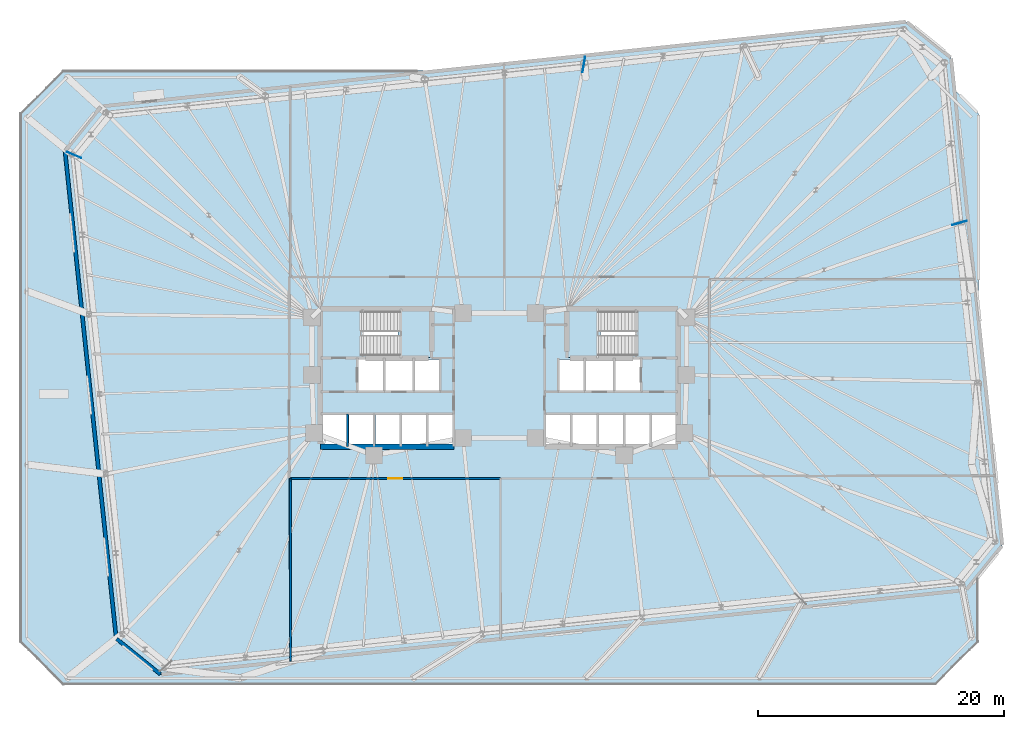
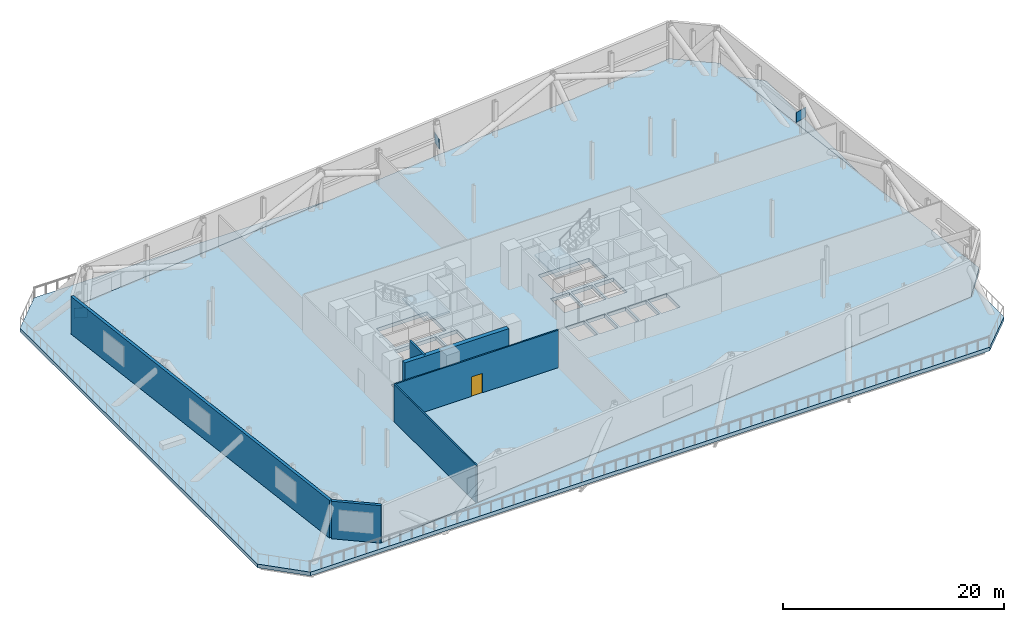
# One storey, part 13 of 17: 6 walls, 5 slabs, 3 plates, 1 door, 1 opening, 2 elements without a shape of their own.
"""IFC4 building model written with IfcOpenShell, lengths in metres."""

import ifcopenshell
import ifcopenshell.guid

model = None  # the IFC model being written
_history = None  # IfcOwnerHistory: only IFC2X3 demands one
_inside = {}  # id of a spatial element -> (the spatial element, [elements in it])
_under = {}  # id of a project, library or spatial element -> (it, [spatial elements below it])
_declared = {}  # id of a project -> (the project, [libraries it declares])
_typed = {}  # id of a type object -> (the type object, [elements of that type])
_made_of = {}  # id of a material, layer set ... -> (it, [elements and type objects made of it])


def new_model(schema):
    """Start an empty IFC model of exactly this schema.

    Asked for "IFC4X3", IfcOpenShell would pick the latest addendum, in which some entities
    have other attributes; the version numbers below select the first issue.
    IFC2X3 requires an IfcOwnerHistory on every rooted entity: one is made here for all.
    """
    global model, _history
    if schema == "IFC4X3":
        model = ifcopenshell.file(schema_version=(4, 3, 0, 0))
    else:
        model = ifcopenshell.file(schema=schema)
    _inside.clear()
    _under.clear()
    _declared.clear()
    _typed.clear()
    _made_of.clear()
    _history = None
    if model.schema == "IFC2X3":
        org = make("IfcOrganization", Name="unknown")
        user = make(
            "IfcPersonAndOrganization",
            ThePerson=make("IfcPerson", FamilyName="unknown"),
            TheOrganization=org,
        )
        app = make(
            "IfcApplication",
            ApplicationDeveloper=org,
            Version="unknown",
            ApplicationFullName="unknown",
            ApplicationIdentifier="unknown",
        )
        _history = make(
            "IfcOwnerHistory",
            OwningUser=user,
            OwningApplication=app,
            ChangeAction="ADDED",
            CreationDate=0,
        )
    return model


def make(cls, **values):
    """One entity of the class cls with the attributes given. An attribute that is None is left unset."""
    return model.create_entity(
        cls, **{name: value for name, value in values.items() if value is not None}
    )


def rooted(cls, **values):
    """An entity with a GlobalId (a new one), such as an element, a storey or a relation."""
    return make(cls, GlobalId=ifcopenshell.guid.new(), OwnerHistory=_history, **values)


def si_unit(unit_type, name, prefix=None):
    """IfcSIUnit, for example si_unit("LENGTHUNIT", "METRE", prefix="MILLI")."""
    return make("IfcSIUnit", UnitType=unit_type, Prefix=prefix, Name=name)


def assignment(units):
    """IfcUnitAssignment: the units of a project."""
    return None if units is None else make("IfcUnitAssignment", Units=units)


def point(xyz):
    """IfcCartesianPoint."""
    return None if xyz is None else make("IfcCartesianPoint", Coordinates=xyz)


def direction(xyz):
    """IfcDirection."""
    return None if xyz is None else make("IfcDirection", DirectionRatios=xyz)


def frame(location, z_axis=None, x_axis=None):
    """IfcAxis2Placement3D, a coordinate frame: its origin and axes. An axis left out is left unset."""
    return make(
        "IfcAxis2Placement3D",
        Location=point(location),
        Axis=direction(z_axis),
        RefDirection=direction(x_axis),
    )


def frame_2d(location, x_axis=None):
    """IfcAxis2Placement2D, a coordinate frame in the plane: its origin and x axis."""
    return make(
        "IfcAxis2Placement2D", Location=point(location), RefDirection=direction(x_axis)
    )


def origin():
    """The frame at (0, 0, 0) with its axes left unset."""
    return frame((0.0, 0.0, 0.0))


def origin_2d():
    """The frame at (0, 0) in the plane with its x axis left unset."""
    return frame_2d((0.0, 0.0))


def place(relative_to, where):
    """IfcLocalPlacement: puts the frame where relative to a parent placement (None: the world)."""
    return make(
        "IfcLocalPlacement", PlacementRelTo=relative_to, RelativePlacement=where
    )


def context(
    kind, dimensions, precision=None, world=None, true_north=None, identifier=None
):
    """IfcGeometricRepresentationContext, for example the 3D "Model" context."""
    return make(
        "IfcGeometricRepresentationContext",
        ContextIdentifier=identifier,
        ContextType=kind,
        CoordinateSpaceDimension=dimensions,
        Precision=precision,
        WorldCoordinateSystem=world,
        TrueNorth=true_north,
    )


def subcontext(parent, identifier, kind, view, scale=None):
    """IfcGeometricRepresentationSubContext, for example "Body" below "Model"."""
    return make(
        "IfcGeometricRepresentationSubContext",
        ContextIdentifier=identifier,
        ContextType=kind,
        ParentContext=parent,
        TargetScale=scale,
        TargetView=view,
    )


def project(units=None, contexts=None):
    """IfcProject with its units and contexts."""
    return rooted(
        "IfcProject",
        Name="project",
        RepresentationContexts=contexts,
        UnitsInContext=assignment(units),
    )


def spatial(cls, under=None, at=None, **own):
    """A site, building, storey or space (cls), placed at a placement, below another one or the project."""
    s = rooted(cls, ObjectPlacement=at, **own)
    if under is not None:
        _under.setdefault(under.id(), (under, []))[1].append(s)
    return s


def polyline(points):
    """IfcPolyline through the points."""
    return make("IfcPolyline", Points=[point(p) for p in points])


def profile(cls, at=None, kind="AREA", **sizes):
    """A parametric profile (cls). Its sizes go by their IFC names, for example OverallWidth=200.0."""
    return make(cls, ProfileType=kind, Position=at, **sizes)


def rectangle(**sizes):
    """IfcRectangleProfileDef."""
    return profile("IfcRectangleProfileDef", **sizes)


def outline(outer, holes=None, kind="AREA"):
    """IfcArbitraryClosedProfileDef: a profile drawn as a closed curve; with holes, ...WithVoids."""
    if holes is None:
        return make("IfcArbitraryClosedProfileDef", ProfileType=kind, OuterCurve=outer)
    return make(
        "IfcArbitraryProfileDefWithVoids",
        ProfileType=kind,
        OuterCurve=outer,
        InnerCurves=holes,
    )


def extrude(swept, where, along, depth):
    """IfcExtrudedAreaSolid: the profile swept, set in the frame where, extruded along a direction by depth."""
    return make(
        "IfcExtrudedAreaSolid",
        SweptArea=swept,
        Position=where,
        ExtrudedDirection=direction(along),
        Depth=depth,
    )


def shape(context_of_items, identifier, shape_type, items):
    """IfcShapeRepresentation: the items that make up one representation, for example the "Body"."""
    return make(
        "IfcShapeRepresentation",
        ContextOfItems=context_of_items,
        RepresentationIdentifier=identifier,
        RepresentationType=shape_type,
        Items=items,
    )


def material(Name=None, Category=None):
    """IfcMaterial."""
    return make("IfcMaterial", Name=Name, Category=Category)


def layer(
    of_material, thickness, ventilated=None, Name=None, Category=None, Priority=None
):
    """IfcMaterialLayer: one layer of a wall or slab, of a material (None: an air gap)."""
    return make(
        "IfcMaterialLayer",
        Material=of_material,
        LayerThickness=thickness,
        IsVentilated=ventilated,
        Name=Name,
        Category=Category,
        Priority=Priority,
    )


def layer_set(layers, Name=None):
    """IfcMaterialLayerSet."""
    return make("IfcMaterialLayerSet", MaterialLayers=layers, LayerSetName=Name)


def made_of(thing, what):
    """Note that an element or type object is made of a material, layer set ...; save() writes the relation."""
    if what is not None:
        _made_of.setdefault(what.id(), (what, []))[1].append(thing)
    return thing


def type_object(cls, material=None, **own):
    """A type object (cls), such as IfcWallType, which elements share."""
    return made_of(rooted(cls, **own), material)


def element(
    cls,
    number,
    at=None,
    inside=None,
    cuts=None,
    type_object=None,
    material=None,
    context=None,
    identifier="Body",
    shape_type=None,
    held_by="IfcProductDefinitionShape",
    body=None,
    shapes=None,
    **own,
):
    """One element of the class cls, such as IfcWall. Its Tag is "e" and its number.

    at: its placement. inside: the storey or other place that contains it. cuts: it is an
    opening in that element (IfcRelVoidsElement). A single representation is given by context,
    identifier, shape_type and body (its items); several are given by shapes. held_by: the class
    of the entity that holds the representations. save() writes the other relations.
    """
    e = rooted(cls, Tag="e%d" % number, ObjectPlacement=at, **own)
    if body is not None:
        shapes = [shape(context, identifier, shape_type, body)]
    if shapes is not None:
        e.Representation = make(held_by, Representations=shapes)
    if inside is not None:
        _inside.setdefault(inside.id(), (inside, []))[1].append(e)
    if cuts is not None:
        rooted(
            "IfcRelVoidsElement", RelatingBuildingElement=cuts, RelatedOpeningElement=e
        )
    if type_object is not None:
        _typed.setdefault(type_object.id(), (type_object, []))[1].append(e)
    return made_of(e, material)


def fill(opening, filler):
    """IfcRelFillsElement: the door or window that sits in an opening."""
    return rooted(
        "IfcRelFillsElement",
        RelatingOpeningElement=opening,
        RelatedBuildingElement=filler,
    )


def aggregate(whole, parts):
    """IfcRelAggregates: a whole, such as a stair, and the parts it consists of."""
    return rooted("IfcRelAggregates", RelatingObject=whole, RelatedObjects=parts)


def save(model, path):
    """Write the relations noted so far, then the file.

    IfcRelAggregates (storeys below a building ...), IfcRelContainedInSpatialStructure (elements
    in a storey), IfcRelDefinesByType, IfcRelAssociatesMaterial and IfcRelDeclares: one each for
    every whole, place, type object, material and project.
    """
    for whole, parts in _under.values():
        aggregate(whole, parts)
    for where, things in _inside.values():
        rooted(
            "IfcRelContainedInSpatialStructure",
            RelatedElements=things,
            RelatingStructure=where,
        )
    for kind, things in _typed.values():
        rooted("IfcRelDefinesByType", RelatedObjects=things, RelatingType=kind)
    for what, things in _made_of.values():
        rooted("IfcRelAssociatesMaterial", RelatedObjects=things, RelatingMaterial=what)
    for by, libraries in _declared.values():
        rooted("IfcRelDeclares", RelatingContext=by, RelatedDefinitions=libraries)
    model.write(path)


model = new_model("IFC4")

# Units and contexts
model_context = context("Model", 3, precision=1e-05, world=origin(), true_north=direction((0.0, 1.0)))
body_context = subcontext(model_context, "Body", "Model", "MODEL_VIEW")
ifc_project = project(units=[si_unit("LENGTHUNIT", "METRE"), si_unit("AREAUNIT", "SQUARE_METRE"), si_unit("VOLUMEUNIT", "CUBIC_METRE"), si_unit("PLANEANGLEUNIT", "RADIAN"), si_unit("MASSUNIT", "GRAM", prefix="KILO")], contexts=[model_context])

# Site, building, storey
site_placement = place(None, origin())
site = spatial("IfcSite", under=ifc_project, at=site_placement, CompositionType="ELEMENT")
building_placement = place(site_placement, origin())
building = spatial("IfcBuilding", under=site, at=building_placement, Name="Menara Jurai Vektor", CompositionType="ELEMENT")
storey_placement = place(building_placement, frame((0.0, 0.0, 78.800048828125)))
storey = spatial("IfcBuildingStorey", under=building, at=storey_placement, Name="L19", CompositionType="ELEMENT", Elevation=78.800048828125)

# Stair, slab
ifc_material_1 = material(Name="Concrete C40/50", Category="concrete")
stair_type = type_object("IfcStairType", Name="STAIR-DOGLEG-1500", PredefinedType="HALF_TURN_STAIR", material=ifc_material_1)
stair_1_placement = place(storey_placement, origin())
stair_1 = element("IfcStair", 1, at=stair_1_placement, inside=storey, type_object=stair_type, Name="Protected Exit Stair ST1 L19", PredefinedType="HALF_TURN_STAIR")
ifc_layer_1 = layer(ifc_material_1, 0.199951171875)
ifc_layer_set_1 = layer_set([ifc_layer_1], Name="Concrete C40/50")
slab_type_1 = type_object("IfcSlabType", Name="STAIR-LANDING-200", PredefinedType="LANDING", material=ifc_layer_set_1)
slab_1_placement = place(storey_placement, frame((0.0, 0.0, 2.0)))
slab_1 = element("IfcSlab", 2, at=slab_1_placement, type_object=slab_type_1, Name="ST1 landing 1", PredefinedType="LANDING", context=body_context, shape_type="SweptSolid", body=[
    extrude(outline(polyline([(-8.239990234375, 1.64990234375), (-5.550048828125, 1.64990234375), (-5.550048828125, 5.550048828125), (-8.239990234375, 5.550048828125), (-8.239990234375, 1.64990234375)])), origin(), (0.0, 0.0, 1.0), 0.199951171875),
])
aggregate(stair_1, [slab_1])

stair_2_placement = place(storey_placement, origin())
stair_2 = element("IfcStair", 3, at=stair_2_placement, inside=storey, type_object=stair_type, Name="Protected Exit Stair ST2 L19", PredefinedType="HALF_TURN_STAIR")
slab_2_placement = place(storey_placement, frame((0.0, 0.0, 2.0)))
slab_2 = element("IfcSlab", 4, at=slab_2_placement, type_object=slab_type_1, Name="ST2 landing 1", PredefinedType="LANDING", context=body_context, shape_type="SweptSolid", body=[
    extrude(outline(polyline([(5.550048828125, 1.64990234375), (8.239990234375, 1.64990234375), (8.239990234375, 5.550048828125), (5.550048828125, 5.550048828125), (5.550048828125, 1.64990234375)])), origin(), (0.0, 0.0, 1.0), 0.199951171875),
])
aggregate(stair_2, [slab_2])

# Plates
ifc_material_2 = material(Name="Steel S460", Category="steel")
ifc_layer_2 = layer(ifc_material_2, 0.0400390625)
ifc_layer_set_2 = layer_set([ifc_layer_2], Name="Steel S460")
plate_type = type_object("IfcPlateType", Name="STR-PLT-GUSSET40", PredefinedType="SHEET", material=ifc_layer_set_2)
for number, where, z_axis, x_axis, name in (
    (5, (37.45751953125, 12.590576171875, 1.64990234375), (0.0, 0.0, 1.0), (-0.959363237809, -0.282174020669, 0.0), "Transfer Truss Gusset Plate L19-09"),
    (6, (6.887451171875, 25.490478515625, 1.64990234375), (0.0, 0.0, 1.0), (-0.174163797974, -0.984716696048, 0.0), "Transfer Truss Gusset Plate L19-13"),
    (7, (-34.599365234375, 18.122802734375, 1.64990234375), (0.0, 0.0, 1.0), (0.921863151589, -0.387515586452, 0.0), "Transfer Truss Gusset Plate L19-17"),
):
    element("IfcPlate", number, at=place(storey_placement, frame(where, z_axis=z_axis, x_axis=x_axis)), inside=storey, type_object=plate_type, Name=name, PredefinedType="SHEET", context=body_context, shape_type="SweptSolid", body=[
        extrude(rectangle(XDim=1.25, YDim=0.0400390625, at=origin_2d()), origin(), (0.0, 0.0, 1.0), 1.10009765625),
    ])

# Slabs
ifc_layer_3 = layer(ifc_material_1, 0.280029296875)
ifc_layer_set_3 = layer_set([ifc_layer_3], Name="Concrete C40/50")
slab_type_2 = type_object("IfcSlabType", Name="STR-ROOF-TER280", PredefinedType="ROOF", material=ifc_layer_set_3)
slab_3_placement = place(storey_placement, frame((0.0, 0.0, -0.405029296875)))
element("IfcSlab", 8, at=slab_3_placement, inside=storey, type_object=slab_type_2, Name="Spiral Step Terrace Roof Slab L19", PredefinedType="ROOF", context=body_context, shape_type="SweptSolid", body=[
    extrude(outline(polyline([(39.0, -16.043212890625), (37.999755859375, -17.2783203125), (-27.539306640625, -24.166748046875), (-31.166015625, -21.22998046875), (-35.3369140625, 18.45166015625), (-32.39990234375, 22.078369140625), (-4.602783203125, 25.0), (-35.5, 25.0), (-39.0, 21.5), (-39.0, -21.5), (-35.5, -25.0), (35.5, -25.0), (39.0, -21.5), (39.0, -16.043212890625)])), origin(), (0.0, 0.0, 1.0), 0.405029296875),
])
slab_4_placement = place(storey_placement, frame((0.0, 0.0, -0.405029296875)))
element("IfcSlab", 9, at=slab_4_placement, inside=storey, type_object=slab_type_2, Name="Block Setback Maintenance Roof Slab L19-2", PredefinedType="ROOF", context=body_context, shape_type="SweptSolid", body=[
    extrude(outline(polyline([(37.03564453125, 23.46435546875), (39.0, 4.775390625), (39.0, 21.5), (37.03564453125, 23.46435546875)])), origin(), (0.0, 0.0, 1.0), 0.405029296875),
])
ifc_material_3 = material(Name="Concrete C50/60", Category="concrete")
ifc_layer_4 = layer(ifc_material_3, 0.405029296875)
ifc_layer_set_4 = layer_set([ifc_layer_4], Name="Concrete C50/60")
slab_type_3 = type_object("IfcSlabType", Name="STR-SLAB-TR405", PredefinedType="FLOOR", material=ifc_layer_set_4)
slab_5_placement = place(storey_placement, frame((0.0, 0.0, -0.405029296875)))
element("IfcSlab", 10, at=slab_5_placement, inside=storey, type_object=slab_type_3, Name="Composite Floor Slab L19", PredefinedType="FLOOR", context=body_context, shape_type="SweptSolid", body=[
    extrude(outline(polyline([(-27.539306640625, -24.166748046875), (37.999755859375, -17.2783203125), (40.936767578125, -13.651611328125), (36.76611328125, 26.02978515625), (33.13916015625, 28.966796875), (-32.39990234375, 22.078369140625), (-35.3369140625, 18.45166015625), (-31.166015625, -21.22998046875), (-27.539306640625, -24.166748046875)]), holes=[polyline([(-11.10009765625, 1.89990234375), (-11.10009765625, 5.300048828125), (-5.800048828125, 5.300048828125), (-5.800048828125, 1.89990234375), (-11.10009765625, 1.89990234375)]), polyline([(5.800048828125, 1.89990234375), (5.800048828125, 5.300048828125), (11.10009765625, 5.300048828125), (11.10009765625, 1.89990234375), (5.800048828125, 1.89990234375)]), polyline([(-11.449951171875, -1.050048828125), (-11.449951171875, 1.5), (-9.449951171875, 1.5), (-9.449951171875, -1.050048828125), (-11.449951171875, -1.050048828125)]), polyline([(9.449951171875, -1.050048828125), (9.449951171875, 1.5), (11.449951171875, 1.5), (11.449951171875, -1.050048828125), (9.449951171875, -1.050048828125)]), polyline([(-5.760009765625, -5.5), (-5.760009765625, -3.050048828125), (-3.800048828125, -3.050048828125), (-3.800048828125, -5.5), (-5.760009765625, -5.5)]), polyline([(-6.85009765625, -1.050048828125), (-6.85009765625, 1.5), (-4.889892578125, 1.5), (-4.889892578125, -1.050048828125), (-6.85009765625, -1.050048828125)]), polyline([(3.800048828125, -5.5), (3.800048828125, -3.050048828125), (5.760009765625, -3.050048828125), (5.760009765625, -5.5), (3.800048828125, -5.5)]), polyline([(4.889892578125, -1.050048828125), (4.889892578125, 1.5), (6.85009765625, 1.5), (6.85009765625, -1.050048828125), (4.889892578125, -1.050048828125)]), polyline([(-14.39990234375, -5.5), (-14.39990234375, -3.050048828125), (-12.43994140625, -3.050048828125), (-12.43994140625, -5.5), (-14.39990234375, -5.5)]), polyline([(-12.239990234375, -5.5), (-12.239990234375, -3.050048828125), (-10.280029296875, -3.050048828125), (-10.280029296875, -5.5), (-12.239990234375, -5.5)]), polyline([(10.280029296875, -5.5), (10.280029296875, -3.050048828125), (12.239990234375, -3.050048828125), (12.239990234375, -5.5), (10.280029296875, -5.5)]), polyline([(12.43994140625, -5.5), (12.43994140625, -3.050048828125), (14.39990234375, -3.050048828125), (14.39990234375, -5.5), (12.43994140625, -5.5)]), polyline([(-10.080078125, -5.5), (-10.080078125, -3.050048828125), (-8.1201171875, -3.050048828125), (-8.1201171875, -5.5), (-10.080078125, -5.5)]), polyline([(-7.919921875, -5.5), (-7.919921875, -3.050048828125), (-5.9599609375, -3.050048828125), (-5.9599609375, -5.5), (-7.919921875, -5.5)]), polyline([(5.9599609375, -5.5), (5.9599609375, -3.050048828125), (7.919921875, -3.050048828125), (7.919921875, -5.5), (5.9599609375, -5.5)]), polyline([(8.1201171875, -5.5), (8.1201171875, -3.050048828125), (10.080078125, -3.050048828125), (10.080078125, -5.5), (8.1201171875, -5.5)]), polyline([(-9.25, -1.050048828125), (-9.25, 1.5), (-7.050048828125, 1.5), (-7.050048828125, -1.050048828125), (-9.25, -1.050048828125)]), polyline([(7.050048828125, -1.050048828125), (7.050048828125, 1.5), (9.25, 1.5), (9.25, -1.050048828125), (7.050048828125, -1.050048828125)])]), origin(), (0.0, 0.0, 1.0), 0.405029296875),
])

# Walls
ifc_material_4 = material(Name="Insulated Pale Aluminium Spandrel Wall", Category="aluminium")
ifc_layer_5 = layer(ifc_material_4, 0.300048828125)
ifc_layer_set_5 = layer_set([ifc_layer_5], Name="Insulated Pale Aluminium Spandrel Wall")
wall_type_1 = type_object("IfcWallType", Name="ENV-WALL-EXT300", PredefinedType="STANDARD", material=ifc_layer_set_5)
wall_1_placement = place(storey_placement, frame((-35.33203125, 18.40673828125, 0.0), z_axis=(0.0, 0.0, 1.0), x_axis=(0.104525165825, -0.994522241938, 0.0)))
element("IfcWall", 11, at=wall_1_placement, inside=storey, type_object=wall_type_1, Name="Plant Floor Enclosure Wall L19-07", PredefinedType="STANDARD", context=body_context, shape_type="SweptSolid", body=[
    extrude(rectangle(XDim=39.809814453125, YDim=0.300048828125, at=frame_2d((19.90478515625, 0.0))), origin(), (0.0, 0.0, 1.0), 4.14990234375),
])
wall_2_placement = place(storey_placement, frame((-31.131103515625, -21.25830078125, 0.0), z_axis=(0.0, 0.0, 1.0), x_axis=(0.777165360366, -0.629296434638, 0.0)))
element("IfcWall", 12, at=wall_2_placement, inside=storey, type_object=wall_type_1, Name="Plant Floor Enclosure Wall L19-08", PredefinedType="STANDARD", context=body_context, shape_type="SweptSolid", body=[
    extrude(rectangle(XDim=4.57666015625, YDim=0.300048828125, at=frame_2d((2.288330078125, 0.0))), origin(), (0.0, 0.0, 1.0), 4.14990234375),
])

# Wall, opening, door
ifc_material_5 = material(Name="Gypsum Fireboard Partition", Category="gypsum")
ifc_layer_6 = layer(ifc_material_5, 0.14990234375)
ifc_layer_set_6 = layer_set([ifc_layer_6], Name="Gypsum Fireboard Partition")
wall_type_2 = type_object("IfcWallType", Name="INT-WALL-CORR-150", PredefinedType="PARTITIONING", material=ifc_layer_set_6)
wall_3_placement = place(storey_placement, frame((-17.0, -8.199951171875, 0.0), z_axis=(0.0, 0.0, 1.0), x_axis=(1.0, 0.0, 0.0)))
wall_3 = element("IfcWall", 13, at=wall_3_placement, inside=storey, type_object=wall_type_2, Name="Interior Wall IW-150 L19", PredefinedType="PARTITIONING", context=body_context, shape_type="SweptSolid", body=[
    extrude(rectangle(XDim=17.10009765625, YDim=0.14990234375, at=frame_2d((8.550048828125, 0.0))), origin(), (0.0, 0.0, 1.0), 4.14990234375),
])
opening_placement = place(wall_3_placement, frame((7.97509765625, 0.0, 0.0)))
opening = element("IfcOpeningElement", 14, at=opening_placement, cuts=wall_3, Name="Opening D19-06", PredefinedType="OPENING", context=body_context, shape_type="SweptSolid", body=[
    extrude(rectangle(XDim=1.14990234375, YDim=2.14990234375, at=frame_2d((0.574951171875, 1.074951171875))), frame((0.0, 0.0849609375, 0.0), z_axis=(0.0, -1.0, 0.0), x_axis=(1.0, 0.0, 0.0)), (0.0, 0.0, 1.0), 0.169921875),
])
ifc_material_6 = material(Name="Fire-Rated Steel Plant Door", Category="steel")
door_type = type_object("IfcDoorType", Name="DR-PLANT-1150", OperationType="NOTDEFINED", PredefinedType="DOOR", material=ifc_material_6)
door_placement = place(opening_placement, origin())
door = element("IfcDoor", 15, at=door_placement, inside=storey, type_object=door_type, Name="Interior Door D19-06", OperationType="SINGLE_SWING_LEFT", OverallHeight=2.14990234375, OverallWidth=1.14990234375, PredefinedType="DOOR", context=body_context, shape_type="SweptSolid", body=[
    extrude(rectangle(XDim=1.14990234375, YDim=2.14990234375, at=frame_2d((0.574951171875, 1.074951171875))), frame((0.0, 0.02490234375, 0.0), z_axis=(0.0, -1.0, 0.0), x_axis=(1.0, 0.0, 0.0)), (0.0, 0.0, 1.0), 0.050048828125),
])
fill(opening, door)

# Walls
wall_4_placement = place(storey_placement, frame((-16.984375, -23.0576171875, 0.0), z_axis=(0.0, 0.0, 1.0), x_axis=(-0.00105164508, 0.999999447021, 0.0)))
element("IfcWall", 16, at=wall_4_placement, inside=storey, type_object=wall_type_2, Name="Interior Wall IW-150 L19", PredefinedType="PARTITIONING", context=body_context, shape_type="SweptSolid", body=[
    extrude(rectangle(XDim=14.857666015625, YDim=0.14990234375, at=frame_2d((7.4287109375, 0.0))), origin(), (0.0, 0.0, 1.0), 4.14990234375),
])
ifc_layer_7 = layer(ifc_material_1, 0.199951171875)
ifc_layer_set_7 = layer_set([ifc_layer_7], Name="Concrete C40/50")
wall_type_3 = type_object("IfcWallType", Name="INT-WALL-SHAFT-200", PredefinedType="STANDARD", material=ifc_layer_set_7)
wall_5_placement = place(storey_placement, frame((-12.340087890625, -5.60009765625, 0.0), z_axis=(0.0, 0.0, 1.0), x_axis=(0.0, 1.0, 0.0)))
element("IfcWall", 17, at=wall_5_placement, inside=storey, type_object=wall_type_3, Name="Interior Wall IW-200 L19", PredefinedType="STANDARD", context=body_context, shape_type="SweptSolid", body=[
    extrude(rectangle(XDim=2.650146484375, YDim=0.179931640625, at=frame_2d((1.3251953125, 0.0))), origin(), (0.0, 0.0, 1.0), 4.14990234375),
])
ifc_material_7 = material(Name="Concrete C60/75", Category="concrete")
ifc_layer_8 = layer(ifc_material_7, 0.449951171875)
ifc_layer_set_8 = layer_set([ifc_layer_8], Name="Concrete C60/75")
wall_type_4 = type_object("IfcWallType", Name="STR-WALL-CORE450", PredefinedType="SHEAR", material=ifc_layer_set_8)
wall_6_placement = place(storey_placement, frame((-14.56005859375, -5.60009765625, 0.0), z_axis=(0.0, 0.0, 1.0), x_axis=(1.0, 0.0, 0.0)))
element("IfcWall", 18, at=wall_6_placement, inside=storey, type_object=wall_type_4, Name="Core Shear Wall CW-W-S L19", PredefinedType="SHEAR", context=body_context, shape_type="SweptSolid", body=[
    extrude(rectangle(XDim=10.860107421875, YDim=0.449951171875, at=frame_2d((5.43017578125, 0.0))), origin(), (0.0, 0.0, 1.0), 4.14990234375),
])

save(model, "model.ifc")
